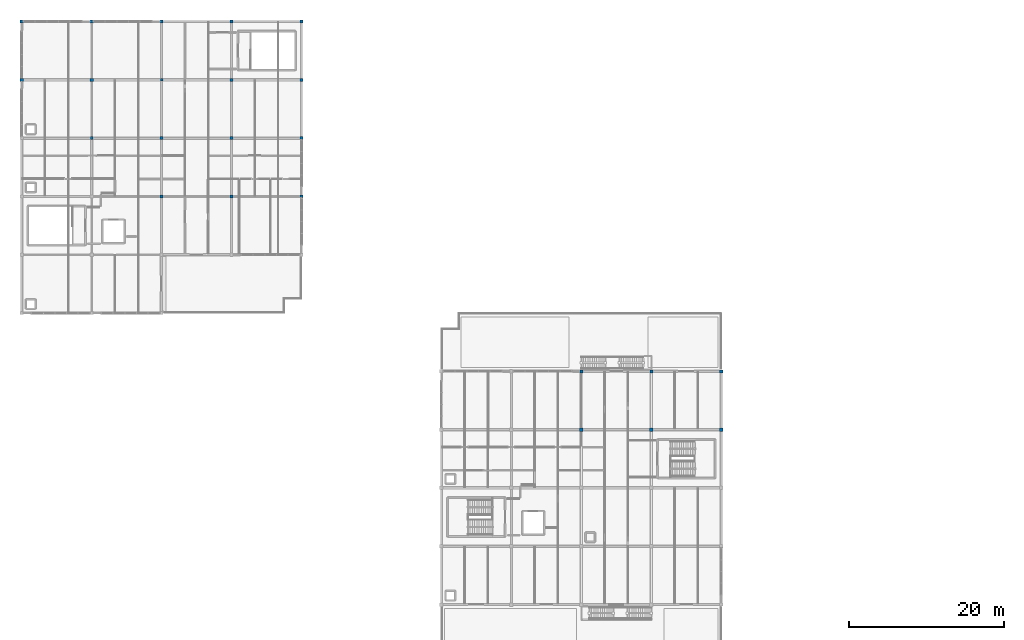
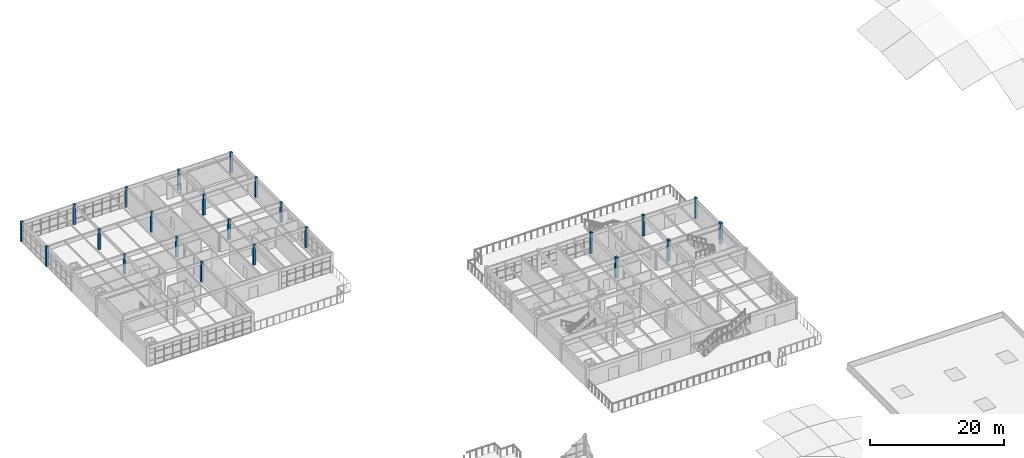
# One storey, part 2 of 45: 23 columns.
"""IFC4 building model written with IfcOpenShell, lengths in metres."""

from ifc_helpers import new_model, si_unit, direction, frame, origin, origin_2d, place, context, subcontext, project, spatial, rectangle, extrude, material, material_profile, profile_set, type_object, element, save


model = new_model("IFC4")

# Units and contexts
model_context = context("Model", 3, precision=1e-05, world=origin(), true_north=direction((0.0, 1.0)))
body_context = subcontext(model_context, "Body", "Model", "MODEL_VIEW")
ifc_project = project(units=[si_unit("LENGTHUNIT", "METRE"), si_unit("AREAUNIT", "SQUARE_METRE"), si_unit("VOLUMEUNIT", "CUBIC_METRE"), si_unit("PLANEANGLEUNIT", "RADIAN"), si_unit("MASSUNIT", "GRAM", prefix="KILO")], contexts=[model_context])

# Site, building, storey
site_placement = place(None, origin())
site = spatial("IfcSite", under=ifc_project, at=site_placement, CompositionType="ELEMENT")
building_placement = place(site_placement, origin())
building = spatial("IfcBuilding", under=site, at=building_placement, Name="Marnridge Secondary College", CompositionType="ELEMENT")
storey_placement = place(building_placement, frame((0.0, 0.0, 12.300048828125)))
storey = spatial("IfcBuildingStorey", under=building, at=storey_placement, Name="L03", CompositionType="ELEMENT", Elevation=12.300048828125)

# Columns
ifc_material_1 = material(Name="Glulam timber GL21", Category="wood")
ifc_material_profile_1 = material_profile(ifc_material_1, rectangle(XDim=0.360107421875, YDim=0.360107421875, at=origin_2d()), Name="GL21 360x360")
ifc_profile_set_1 = profile_set([ifc_material_profile_1], Name="Glulam timber GL21")
column_type_1 = type_object("IfcColumnType", Name="CL-GL360-INT", PredefinedType="COLUMN", material=ifc_profile_set_1)
for number, where, z_axis, x_axis, name in (
    (1, (27.0, 97.5, 0.0), (0.0, 0.0, 1.0), (1.0, 0.0, 0.0), "Column C-L03-0544"),
    (2, (9.0, 105.0, 0.0), (0.0, 0.0, 1.0), (1.0, 0.0, 0.0), "Column C-L03-0562"),
    (3, (18.0, 112.5, 0.0), (0.0, 0.0, 1.0), (1.0, 0.0, 0.0), "Column C-L03-0592"),
):
    element("IfcColumn", number, at=place(storey_placement, frame(where, z_axis=z_axis, x_axis=x_axis)), inside=storey, type_object=column_type_1, Name=name, PredefinedType="COLUMN", context=body_context, shape_type="SweptSolid", body=[
        extrude(rectangle(XDim=0.360107421875, YDim=0.360107421875, at=origin_2d()), origin(), (0.0, 0.0, 1.0), 3.64990234375),
    ])
ifc_material_2 = material(Name="Glulam timber GL21", Category="wood")
ifc_material_profile_2 = material_profile(ifc_material_2, rectangle(XDim=0.39990234375, YDim=0.39990234375, at=origin_2d()), Name="GL21 400x400")
ifc_profile_set_2 = profile_set([ifc_material_profile_2], Name="Glulam timber GL21")
column_type_2 = type_object("IfcColumnType", Name="CL-GL400-EXT", PredefinedType="COLUMN", material=ifc_profile_set_2)
for number, where, z_axis, x_axis, name in (
    (4, (72.0, 75.0, 0.0), (0.0, 0.0, 1.0), (1.0, 0.0, 0.0), "Column C-L03-0443"),
    (5, (81.0, 75.0, 0.0), (0.0, 0.0, 1.0), (1.0, 0.0, 0.0), "Column C-L03-0447"),
    (6, (90.0, 75.0, 0.0), (0.0, 0.0, 1.0), (1.0, 0.0, 0.0), "Column C-L03-0451"),
):
    element("IfcColumn", number, at=place(storey_placement, frame(where, z_axis=z_axis, x_axis=x_axis)), inside=storey, type_object=column_type_2, Name=name, PredefinedType="COLUMN", context=body_context, shape_type="SweptSolid", body=[
        extrude(rectangle(XDim=0.39990234375, YDim=0.39990234375, at=origin_2d()), origin(), (0.0, 0.0, 1.0), 3.800048828125),
    ])
for number, where, z_axis, x_axis, name in (
    (7, (36.0, 97.5, 0.0), (0.0, 0.0, 1.0), (1.0, 0.0, 0.0), "Column C-L03-0548"),
    (8, (36.0, 105.0, 0.0), (0.0, 0.0, 1.0), (1.0, 0.0, 0.0), "Column C-L03-0574"),
    (9, (0.0, 112.5, 0.0), (0.0, 0.0, 1.0), (1.0, 0.0, 0.0), "Column C-L03-0584"),
    (10, (36.0, 112.5, 0.0), (0.0, 0.0, 1.0), (1.0, 0.0, 0.0), "Column C-L03-0600"),
    (11, (0.0, 120.0, 0.0), (0.0, 0.0, 1.0), (1.0, 0.0, 0.0), "Column C-L03-0610"),
    (12, (9.0, 120.0, 0.0), (0.0, 0.0, 1.0), (1.0, 0.0, 0.0), "Column C-L03-0614"),
    (13, (18.0, 120.0, 0.0), (0.0, 0.0, 1.0), (1.0, 0.0, 0.0), "Column C-L03-0618"),
    (14, (27.0, 120.0, 0.0), (0.0, 0.0, 1.0), (1.0, 0.0, 0.0), "Column C-L03-0622"),
    (15, (36.0, 120.0, 0.0), (0.0, 0.0, 1.0), (1.0, 0.0, 0.0), "Column C-L03-0626"),
):
    element("IfcColumn", number, at=place(storey_placement, frame(where, z_axis=z_axis, x_axis=x_axis)), inside=storey, type_object=column_type_2, Name=name, PredefinedType="COLUMN", context=body_context, shape_type="SweptSolid", body=[
        extrude(rectangle(XDim=0.39990234375, YDim=0.39990234375, at=origin_2d()), origin(), (0.0, 0.0, 1.0), 3.64990234375),
    ])
ifc_material_3 = material(Name="Glulam timber GL21", Category="wood")
ifc_material_profile_3 = material_profile(ifc_material_3, rectangle(XDim=0.39990234375, YDim=0.39990234375, at=origin_2d()), Name="GL21 400x400")
ifc_profile_set_3 = profile_set([ifc_material_profile_3], Name="Glulam timber GL21")
column_type_3 = type_object("IfcColumnType", Name="CL-GL400-INT", PredefinedType="COLUMN", material=ifc_profile_set_3)
for number, where, z_axis, x_axis, name in (
    (16, (18.0, 97.5, 0.0), (0.0, 0.0, 1.0), (1.0, 0.0, 0.0), "Column C-L03-0540"),
    (17, (18.0, 105.0, 0.0), (0.0, 0.0, 1.0), (1.0, 0.0, 0.0), "Column C-L03-0566"),
    (18, (27.0, 105.0, 0.0), (0.0, 0.0, 1.0), (1.0, 0.0, 0.0), "Column C-L03-0570"),
    (19, (9.0, 112.5, 0.0), (0.0, 0.0, 1.0), (1.0, 0.0, 0.0), "Column C-L03-0588"),
    (20, (27.0, 112.5, 0.0), (0.0, 0.0, 1.0), (1.0, 0.0, 0.0), "Column C-L03-0596"),
):
    element("IfcColumn", number, at=place(storey_placement, frame(where, z_axis=z_axis, x_axis=x_axis)), inside=storey, type_object=column_type_3, Name=name, PredefinedType="COLUMN", context=body_context, shape_type="SweptSolid", body=[
        extrude(rectangle(XDim=0.39990234375, YDim=0.39990234375, at=origin_2d()), origin(), (0.0, 0.0, 1.0), 3.64990234375),
    ])
ifc_material_4 = material(Name="Glulam timber GL21", Category="wood")
ifc_material_profile_4 = material_profile(ifc_material_4, rectangle(XDim=0.449951171875, YDim=0.449951171875, at=origin_2d()), Name="GL21 450x450")
ifc_profile_set_4 = profile_set([ifc_material_profile_4], Name="Glulam timber GL21")
column_type_4 = type_object("IfcColumnType", Name="CL-GL450-EXT", PredefinedType="COLUMN", material=ifc_profile_set_4)
for number, where, z_axis, x_axis, name in (
    (21, (72.0, 67.5, 0.0), (0.0, 0.0, 1.0), (1.0, 0.0, 0.0), "Column C-L03-0403"),
    (22, (81.0, 67.5, 0.0), (0.0, 0.0, 1.0), (1.0, 0.0, 0.0), "Column C-L03-0410"),
    (23, (90.0, 67.5, 0.0), (0.0, 0.0, 1.0), (1.0, 0.0, 0.0), "Column C-L03-0417"),
):
    element("IfcColumn", number, at=place(storey_placement, frame(where, z_axis=z_axis, x_axis=x_axis)), inside=storey, type_object=column_type_4, Name=name, PredefinedType="COLUMN", context=body_context, shape_type="SweptSolid", body=[
        extrude(rectangle(XDim=0.449951171875, YDim=0.449951171875, at=origin_2d()), origin(), (0.0, 0.0, 1.0), 3.800048828125),
    ])

save(model, "model.ifc")
